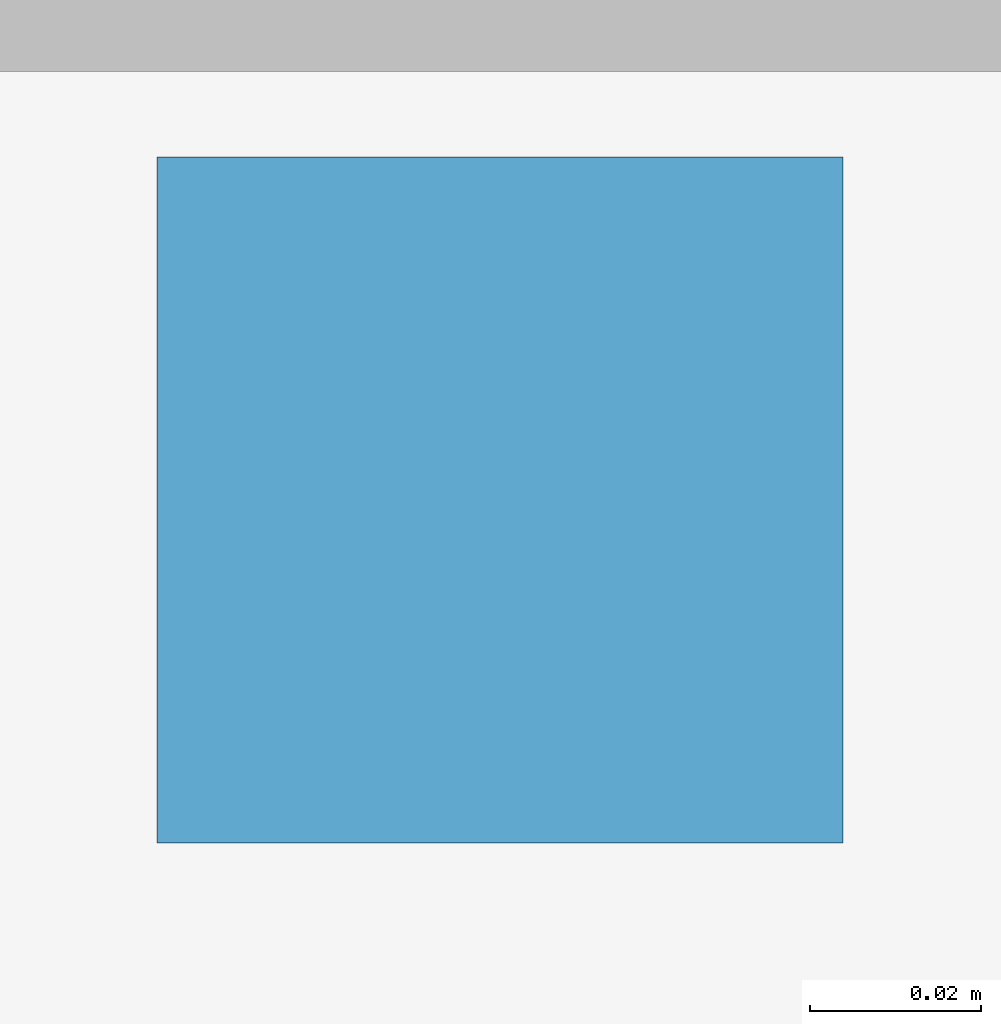
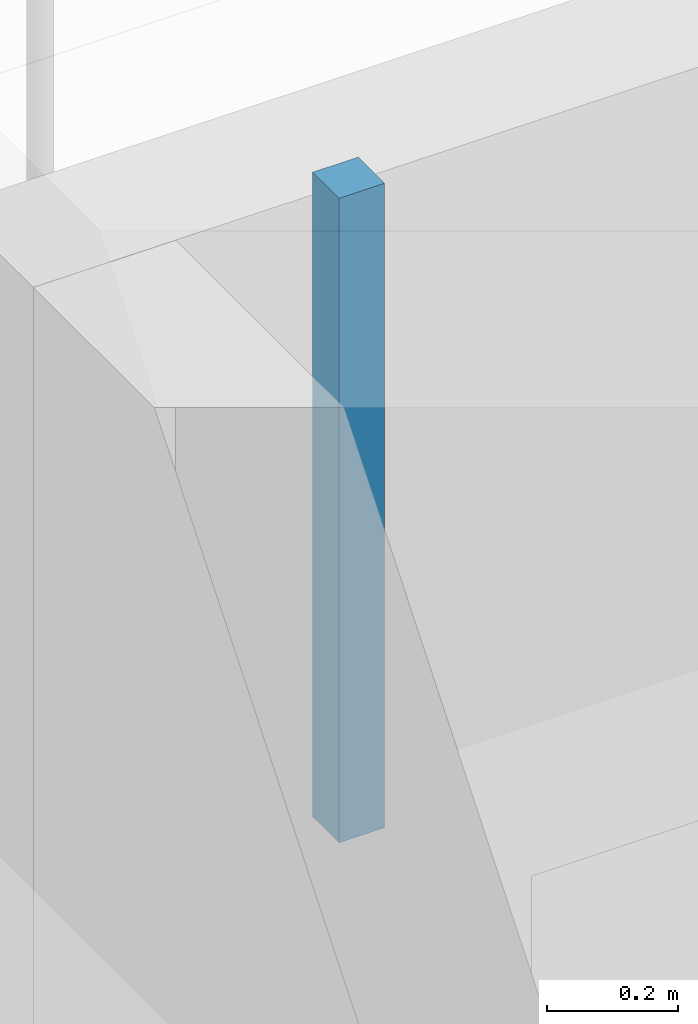
# One storey, part 102 of 114: 1 discrete accessory.
"""IFC4 building model written with IfcOpenShell, lengths in metres."""

from ifc_helpers import new_model, si_unit, direction, frame, origin, origin_2d, place, context, subcontext, project, spatial, rectangle, extrude, material, type_object, element, save


model = new_model("IFC4")

# Units and contexts
model_context = context("Model", 3, precision=1e-05, world=origin(), true_north=direction((0.0, 1.0)))
body_context = subcontext(model_context, "Body", "Model", "MODEL_VIEW")
ifc_project = project(units=[si_unit("LENGTHUNIT", "METRE"), si_unit("AREAUNIT", "SQUARE_METRE"), si_unit("VOLUMEUNIT", "CUBIC_METRE"), si_unit("PLANEANGLEUNIT", "RADIAN"), si_unit("MASSUNIT", "GRAM", prefix="KILO")], contexts=[model_context])

# Site, building, storey
site_placement = place(None, origin())
site = spatial("IfcSite", under=ifc_project, at=site_placement, CompositionType="ELEMENT")
building_placement = place(site_placement, origin())
building = spatial("IfcBuilding", under=site, at=building_placement, Name="Chalmorin Arch Market", CompositionType="ELEMENT")
storey_placement = place(building_placement, frame((0.0, 0.0, 9.60009765625)))
storey = spatial("IfcBuildingStorey", under=building, at=storey_placement, Name="L02", CompositionType="ELEMENT", Elevation=9.60009765625)

# Discrete accessory
ifc_material = material(Name="Galvanized Cold-Formed Steel", Category="steel")
discrete_accessory_type = type_object("IfcDiscreteAccessoryType", Name="CeilingSuspensionBracket-80x80", PredefinedType="BRACKET", material=ifc_material)
discrete_accessory_placement = place(storey_placement, frame((58.89990234375, 10.449951171875, 2.40283203125), z_axis=(0.0, 0.0, 1.0), x_axis=(1.0, 0.0, 0.0)))
element("IfcDiscreteAccessory", 1, at=discrete_accessory_placement, inside=storey, type_object=discrete_accessory_type, Name="CSB-200", PredefinedType="BRACKET", context=body_context, shape_type="SweptSolid", body=[
    extrude(rectangle(XDim=0.080078125, YDim=0.080078125, at=origin_2d()), origin(), (0.0, 0.0, 1.0), 1.197021484375),
])

save(model, "model.ifc")
